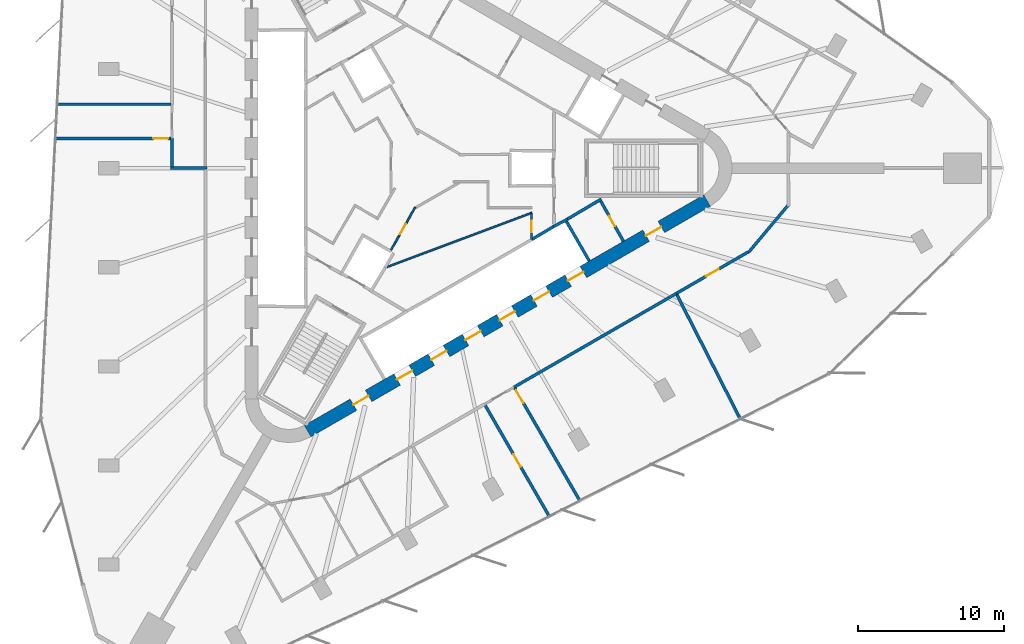
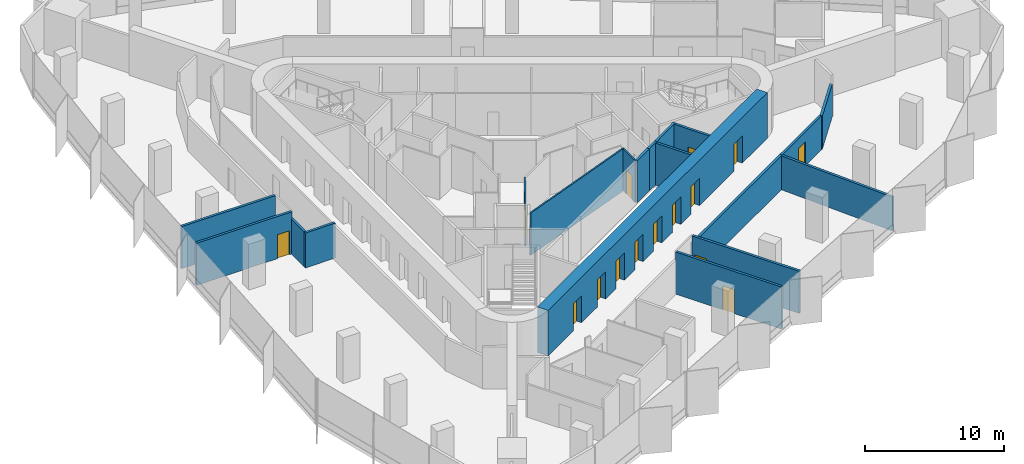
# One storey, part 9 of 14: 19 walls, 15 doors, 15 openings.
"""IFC4 building model written with IfcOpenShell, lengths in metres."""

from ifc_helpers import new_model, si_unit, direction, frame, frame_2d, origin, place, context, subcontext, project, spatial, rectangle, extrude, material, layer, layer_set, type_object, element, fill, save


model = new_model("IFC4")

# Units and contexts
model_context = context("Model", 3, precision=1e-05, world=origin(), true_north=direction((0.0, 1.0)))
body_context = subcontext(model_context, "Body", "Model", "MODEL_VIEW")
ifc_project = project(units=[si_unit("LENGTHUNIT", "METRE"), si_unit("AREAUNIT", "SQUARE_METRE"), si_unit("VOLUMEUNIT", "CUBIC_METRE"), si_unit("PLANEANGLEUNIT", "RADIAN"), si_unit("MASSUNIT", "GRAM", prefix="KILO")], contexts=[model_context])

# Site, building, storey
site_placement = place(None, origin())
site = spatial("IfcSite", under=ifc_project, at=site_placement, CompositionType="ELEMENT")
building_placement = place(site_placement, origin())
building = spatial("IfcBuilding", under=site, at=building_placement, Name="Tanit Gate Tower", CompositionType="ELEMENT")
storey_placement = place(building_placement, frame((0.0, 0.0, 257.199951171875)))
storey = spatial("IfcBuildingStorey", under=building, at=storey_placement, Name="L58", CompositionType="ELEMENT", Elevation=257.199951171875)

# Wall, openings, doors
ifc_material_1 = material(Name="Concrete C50/60", Category="concrete")
ifc_layer_1 = layer(ifc_material_1, 0.89990234375)
ifc_layer_set_1 = layer_set([ifc_layer_1], Name="CORE WALL 900 C50/60")
wall_type_1 = type_object("IfcWallType", Name="CORE WALL 900 C50/60", PredefinedType="SHEAR", material=ifc_layer_set_1)
wall_1_placement = place(storey_placement, frame((-7.824951171875, -17.969970703125, 0.0), z_axis=(0.0, 0.0, 1.0), x_axis=(0.866028369851, 0.499994862586, 0.0)))
wall_1 = element("IfcWall", 1, at=wall_1_placement, inside=storey, type_object=wall_type_1, Name="CORE WALL", PredefinedType="SHEAR", context=body_context, shape_type="SweptSolid", body=[
    extrude(rectangle(XDim=31.523193359375, YDim=0.89990234375, at=frame_2d((15.76171875, 0.0))), origin(), (0.0, 0.0, 1.0), 4.0),
])
opening_1_placement = place(wall_1_placement, frame((7.061767578125, 0.0, 0.0)))
opening_1 = element("IfcOpeningElement", 2, at=opening_1_placement, cuts=wall_1, Name="Opening LDSX1-S16", PredefinedType="OPENING", context=body_context, shape_type="SweptSolid", body=[
    extrude(rectangle(XDim=1.199951171875, YDim=2.39990234375, at=frame_2d((0.60009765625, 1.199951171875))), frame((0.0, 0.4599609375, 0.0), z_axis=(0.0, -1.0, 0.0), x_axis=(1.0, 0.0, 0.0)), (0.0, 0.0, 1.0), 0.919921875),
])
opening_2_placement = place(wall_1_placement, frame((9.76171875, 0.0, 0.0)))
opening_2 = element("IfcOpeningElement", 3, at=opening_2_placement, cuts=wall_1, Name="Opening LDSX2-S16", PredefinedType="OPENING", context=body_context, shape_type="SweptSolid", body=[
    extrude(rectangle(XDim=1.199951171875, YDim=2.39990234375, at=frame_2d((0.60009765625, 1.199951171875))), frame((0.0, 0.4599609375, 0.0), z_axis=(0.0, -1.0, 0.0), x_axis=(1.0, 0.0, 0.0)), (0.0, 0.0, 1.0), 0.919921875),
])
opening_3_placement = place(wall_1_placement, frame((12.461669921875, 0.0, 0.0)))
opening_3 = element("IfcOpeningElement", 4, at=opening_3_placement, cuts=wall_1, Name="Opening LDSX3-S16", PredefinedType="OPENING", context=body_context, shape_type="SweptSolid", body=[
    extrude(rectangle(XDim=1.199951171875, YDim=2.39990234375, at=frame_2d((0.60009765625, 1.199951171875))), frame((0.0, 0.4599609375, 0.0), z_axis=(0.0, -1.0, 0.0), x_axis=(1.0, 0.0, 0.0)), (0.0, 0.0, 1.0), 0.919921875),
])
opening_4_placement = place(wall_1_placement, frame((15.16162109375, 0.0, 0.0)))
opening_4 = element("IfcOpeningElement", 5, at=opening_4_placement, cuts=wall_1, Name="Opening LDSX4-S16", PredefinedType="OPENING", context=body_context, shape_type="SweptSolid", body=[
    extrude(rectangle(XDim=1.199951171875, YDim=2.39990234375, at=frame_2d((0.60009765625, 1.199951171875))), frame((0.0, 0.4599609375, 0.0), z_axis=(0.0, -1.0, 0.0), x_axis=(1.0, 0.0, 0.0)), (0.0, 0.0, 1.0), 0.919921875),
])
opening_5_placement = place(wall_1_placement, frame((17.861572265625, 0.0, 0.0)))
opening_5 = element("IfcOpeningElement", 6, at=opening_5_placement, cuts=wall_1, Name="Opening LDSV1-S16", PredefinedType="OPENING", context=body_context, shape_type="SweptSolid", body=[
    extrude(rectangle(XDim=1.199951171875, YDim=2.39990234375, at=frame_2d((0.60009765625, 1.199951171875))), frame((0.0, 0.4599609375, 0.0), z_axis=(0.0, -1.0, 0.0), x_axis=(1.0, 0.0, 0.0)), (0.0, 0.0, 1.0), 0.919921875),
])
opening_6_placement = place(wall_1_placement, frame((20.561767578125, 0.0, 0.0)))
opening_6 = element("IfcOpeningElement", 7, at=opening_6_placement, cuts=wall_1, Name="Opening LDSV2-S16", PredefinedType="OPENING", context=body_context, shape_type="SweptSolid", body=[
    extrude(rectangle(XDim=1.199951171875, YDim=2.39990234375, at=frame_2d((0.60009765625, 1.199951171875))), frame((0.0, 0.4599609375, 0.0), z_axis=(0.0, -1.0, 0.0), x_axis=(1.0, 0.0, 0.0)), (0.0, 0.0, 1.0), 0.919921875),
])
opening_7_placement = place(wall_1_placement, frame((26.711669921875, 0.0, 0.0)))
opening_7 = element("IfcOpeningElement", 8, at=opening_7_placement, cuts=wall_1, Name="Opening F12-S16-S1", PredefinedType="OPENING", context=body_context, shape_type="SweptSolid", body=[
    extrude(rectangle(XDim=1.199951171875, YDim=2.39990234375, at=frame_2d((0.60009765625, 1.199951171875))), frame((0.0, 0.4599609375, 0.0), z_axis=(0.0, -1.0, 0.0), x_axis=(1.0, 0.0, 0.0)), (0.0, 0.0, 1.0), 0.919921875),
])
opening_8_placement = place(wall_1_placement, frame((3.611572265625, 0.0, 0.0)))
opening_8 = element("IfcOpeningElement", 9, at=opening_8_placement, cuts=wall_1, Name="Opening F12-S16-FL3", PredefinedType="OPENING", context=body_context, shape_type="SweptSolid", body=[
    extrude(rectangle(XDim=1.199951171875, YDim=2.39990234375, at=frame_2d((0.60009765625, 1.199951171875))), frame((0.0, 0.4599609375, 0.0), z_axis=(0.0, -1.0, 0.0), x_axis=(1.0, 0.0, 0.0)), (0.0, 0.0, 1.0), 0.919921875),
])
ifc_material_2 = material(Name="Fire-rated steel door leaf", Category="steel")
door_type_1 = type_object("IfcDoorType", Name="INT-DOOR-FIRE-LOBBY-1200", OperationType="NOTDEFINED", PredefinedType="USERDEFINED", material=ifc_material_2)
door_1_placement = place(opening_7_placement, origin())
door_1 = element("IfcDoor", 10, at=door_1_placement, inside=storey, type_object=door_type_1, Name="Door F12-S16-S1", ObjectType="FIRE DOOR", OperationType="SINGLE_SWING_LEFT", OverallHeight=2.39990234375, OverallWidth=1.199951171875, PredefinedType="USERDEFINED", context=body_context, shape_type="SweptSolid", body=[
    extrude(rectangle(XDim=1.199951171875, YDim=2.39990234375, at=frame_2d((0.60009765625, 1.199951171875))), frame((0.0, 0.02490234375, 0.0), z_axis=(0.0, -1.0, 0.0), x_axis=(1.0, 0.0, 0.0)), (0.0, 0.0, 1.0), 0.050048828125),
])
fill(opening_7, door_1)
door_2_placement = place(opening_8_placement, origin())
door_2 = element("IfcDoor", 11, at=door_2_placement, inside=storey, type_object=door_type_1, Name="Door F12-S16-FL3", ObjectType="FIRE DOOR", OperationType="SINGLE_SWING_LEFT", OverallHeight=2.39990234375, OverallWidth=1.199951171875, PredefinedType="USERDEFINED", context=body_context, shape_type="SweptSolid", body=[
    extrude(rectangle(XDim=1.199951171875, YDim=2.39990234375, at=frame_2d((0.60009765625, 1.199951171875))), frame((0.0, 0.02490234375, 0.0), z_axis=(0.0, -1.0, 0.0), x_axis=(1.0, 0.0, 0.0)), (0.0, 0.0, 1.0), 0.050048828125),
])
fill(opening_8, door_2)
ifc_material_3 = material(Name="Stainless steel sliding door leaf", Category="steel")
door_type_2 = type_object("IfcDoorType", Name="INT-DOOR-LANDING-1200", OperationType="NOTDEFINED", PredefinedType="USERDEFINED", material=ifc_material_3)
door_3_placement = place(opening_1_placement, origin())
door_3 = element("IfcDoor", 12, at=door_3_placement, inside=storey, type_object=door_type_2, Name="Door LDSX1-S16", ObjectType="LANDING DOOR", OperationType="SLIDING_TO_LEFT", OverallHeight=2.39990234375, OverallWidth=1.199951171875, PredefinedType="USERDEFINED", context=body_context, shape_type="SweptSolid", body=[
    extrude(rectangle(XDim=1.199951171875, YDim=2.39990234375, at=frame_2d((0.60009765625, 1.199951171875))), frame((0.0, 0.02490234375, 0.0), z_axis=(0.0, -1.0, 0.0), x_axis=(1.0, 0.0, 0.0)), (0.0, 0.0, 1.0), 0.050048828125),
])
fill(opening_1, door_3)
door_4_placement = place(opening_2_placement, origin())
door_4 = element("IfcDoor", 13, at=door_4_placement, inside=storey, type_object=door_type_2, Name="Door LDSX2-S16", ObjectType="LANDING DOOR", OperationType="SLIDING_TO_LEFT", OverallHeight=2.39990234375, OverallWidth=1.199951171875, PredefinedType="USERDEFINED", context=body_context, shape_type="SweptSolid", body=[
    extrude(rectangle(XDim=1.199951171875, YDim=2.39990234375, at=frame_2d((0.60009765625, 1.199951171875))), frame((0.0, 0.02490234375, 0.0), z_axis=(0.0, -1.0, 0.0), x_axis=(1.0, 0.0, 0.0)), (0.0, 0.0, 1.0), 0.050048828125),
])
fill(opening_2, door_4)
door_5_placement = place(opening_3_placement, origin())
door_5 = element("IfcDoor", 14, at=door_5_placement, inside=storey, type_object=door_type_2, Name="Door LDSX3-S16", ObjectType="LANDING DOOR", OperationType="SLIDING_TO_LEFT", OverallHeight=2.39990234375, OverallWidth=1.199951171875, PredefinedType="USERDEFINED", context=body_context, shape_type="SweptSolid", body=[
    extrude(rectangle(XDim=1.199951171875, YDim=2.39990234375, at=frame_2d((0.60009765625, 1.199951171875))), frame((0.0, 0.02490234375, 0.0), z_axis=(0.0, -1.0, 0.0), x_axis=(1.0, 0.0, 0.0)), (0.0, 0.0, 1.0), 0.050048828125),
])
fill(opening_3, door_5)
door_6_placement = place(opening_4_placement, origin())
door_6 = element("IfcDoor", 15, at=door_6_placement, inside=storey, type_object=door_type_2, Name="Door LDSX4-S16", ObjectType="LANDING DOOR", OperationType="SLIDING_TO_LEFT", OverallHeight=2.39990234375, OverallWidth=1.199951171875, PredefinedType="USERDEFINED", context=body_context, shape_type="SweptSolid", body=[
    extrude(rectangle(XDim=1.199951171875, YDim=2.39990234375, at=frame_2d((0.60009765625, 1.199951171875))), frame((0.0, 0.02490234375, 0.0), z_axis=(0.0, -1.0, 0.0), x_axis=(1.0, 0.0, 0.0)), (0.0, 0.0, 1.0), 0.050048828125),
])
fill(opening_4, door_6)
door_7_placement = place(opening_5_placement, origin())
door_7 = element("IfcDoor", 16, at=door_7_placement, inside=storey, type_object=door_type_2, Name="Door LDSV1-S16", ObjectType="LANDING DOOR", OperationType="SLIDING_TO_LEFT", OverallHeight=2.39990234375, OverallWidth=1.199951171875, PredefinedType="USERDEFINED", context=body_context, shape_type="SweptSolid", body=[
    extrude(rectangle(XDim=1.199951171875, YDim=2.39990234375, at=frame_2d((0.60009765625, 1.199951171875))), frame((0.0, 0.02490234375, 0.0), z_axis=(0.0, -1.0, 0.0), x_axis=(1.0, 0.0, 0.0)), (0.0, 0.0, 1.0), 0.050048828125),
])
fill(opening_5, door_7)
door_8_placement = place(opening_6_placement, origin())
door_8 = element("IfcDoor", 17, at=door_8_placement, inside=storey, type_object=door_type_2, Name="Door LDSV2-S16", ObjectType="LANDING DOOR", OperationType="SLIDING_TO_LEFT", OverallHeight=2.39990234375, OverallWidth=1.199951171875, PredefinedType="USERDEFINED", context=body_context, shape_type="SweptSolid", body=[
    extrude(rectangle(XDim=1.199951171875, YDim=2.39990234375, at=frame_2d((0.60009765625, 1.199951171875))), frame((0.0, 0.02490234375, 0.0), z_axis=(0.0, -1.0, 0.0), x_axis=(1.0, 0.0, 0.0)), (0.0, 0.0, 1.0), 0.050048828125),
])
fill(opening_6, door_8)

# Wall
ifc_material_4 = material(Name="Fire-rated gypsum board partition")
ifc_layer_2 = layer(ifc_material_4, 0.199951171875)
ifc_layer_set_2 = layer_set([ifc_layer_2], Name="INT-WALL-COMPARTMENT")
wall_type_2 = type_object("IfcWallType", Name="INT-WALL-COMPARTMENT", PredefinedType="PARTITIONING", material=ifc_layer_set_2)
wall_2_placement = place(storey_placement, frame((12.244873046875, -2.10888671875, 0.0), z_axis=(0.0, 0.0, 1.0), x_axis=(-0.860414880418, -0.509594185166, 0.0)))
element("IfcWall", 18, at=wall_2_placement, inside=storey, type_object=wall_type_2, Name="Wall Compartment W060", PredefinedType="PARTITIONING", context=body_context, shape_type="SweptSolid", body=[
    extrude(rectangle(XDim=2.7001953125, YDim=0.199951171875, at=frame_2d((1.35009765625, 0.0))), origin(), (0.0, 0.0, 1.0), 3.699951171875),
])

# Wall, opening, door
wall_3_placement = place(storey_placement, frame((13.758056640625, -4.989501953125, 0.0), z_axis=(0.0, 0.0, 1.0), x_axis=(-0.491993409184, 0.87059892334, 0.0)))
wall_3 = element("IfcWall", 19, at=wall_3_placement, inside=storey, type_object=wall_type_2, Name="Wall Compartment W061", PredefinedType="PARTITIONING", context=body_context, shape_type="SweptSolid", body=[
    extrude(rectangle(XDim=3.150146484375, YDim=0.199951171875, at=frame_2d((1.5751953125, 0.0))), origin(), (0.0, 0.0, 1.0), 3.699951171875),
])
opening_9_placement = place(wall_3_placement, frame((1.175048828125, 0.0, 0.0)))
opening_9 = element("IfcOpeningElement", 20, at=opening_9_placement, cuts=wall_3, Name="Opening R08-S16-17", PredefinedType="OPENING", context=body_context, shape_type="SweptSolid", body=[
    extrude(rectangle(XDim=0.800048828125, YDim=2.10009765625, at=frame_2d((0.39990234375, 1.050048828125))), frame((0.0, 0.10986328125, 0.0), z_axis=(0.0, -1.0, 0.0), x_axis=(1.0, 0.0, 0.0)), (0.0, 0.0, 1.0), 0.219970703125),
])
ifc_material_5 = material(Name="Timber door leaf", Category="wood")
door_type_3 = type_object("IfcDoorType", Name="INT-DOOR-RISER-800", OperationType="NOTDEFINED", PredefinedType="USERDEFINED", material=ifc_material_5)
door_9_placement = place(opening_9_placement, origin())
door_9 = element("IfcDoor", 21, at=door_9_placement, inside=storey, type_object=door_type_3, Name="Door R08-S16-17", ObjectType="FIRE DOOR", OperationType="SINGLE_SWING_RIGHT", OverallHeight=2.10009765625, OverallWidth=0.800048828125, PredefinedType="USERDEFINED", context=body_context, shape_type="SweptSolid", body=[
    extrude(rectangle(XDim=0.800048828125, YDim=2.10009765625, at=frame_2d((0.39990234375, 1.050048828125))), frame((0.0, 0.02490234375, 0.0), z_axis=(0.0, -1.0, 0.0), x_axis=(1.0, 0.0, 0.0)), (0.0, 0.0, 1.0), 0.050048828125),
])
fill(opening_9, door_9)

# Walls
wall_4_placement = place(storey_placement, frame((-17.199951171875, -0.001220703125, 0.0), z_axis=(0.0, 0.0, 1.0), x_axis=(0.999915662945, 0.012987185857, 0.0)))
element("IfcWall", 22, at=wall_4_placement, inside=storey, type_object=wall_type_2, Name="Wall Compartment W091", PredefinedType="PARTITIONING", context=body_context, shape_type="SweptSolid", body=[
    extrude(rectangle(XDim=2.500244140625, YDim=0.199951171875, at=frame_2d((1.25, 0.0))), origin(), (0.0, 0.0, 1.0), 3.070068359375),
])
wall_5_placement = place(storey_placement, frame((-17.10009765625, 2.050048828125, 0.0), z_axis=(0.0, 0.0, 1.0), x_axis=(0.0, -1.0, 0.0)))
element("IfcWall", 23, at=wall_5_placement, inside=storey, type_object=wall_type_2, Name="Wall Compartment W092", PredefinedType="PARTITIONING", context=body_context, shape_type="SweptSolid", body=[
    extrude(rectangle(XDim=1.949951171875, YDim=0.199951171875, at=frame_2d((0.97509765625, 0.0))), origin(), (0.0, 0.0, 1.0), 3.070068359375),
])
wall_6_placement = place(storey_placement, frame((22.315185546875, -5.746337890625, 0.0), z_axis=(0.0, 0.0, 1.0), x_axis=(0.642828004621, 0.76601054593, 0.0)))
element("IfcWall", 24, at=wall_6_placement, inside=storey, type_object=wall_type_2, Name="Wall Compartment W111", PredefinedType="PARTITIONING", context=body_context, shape_type="SweptSolid", body=[
    extrude(rectangle(XDim=4.19970703125, YDim=0.199951171875, at=frame_2d((2.099853515625, 0.0))), origin(), (0.0, 0.0, 1.0), 2.880126953125),
])
wall_7_placement = place(storey_placement, frame((6.274658203125, -14.968017578125, 0.0), z_axis=(0.0, 0.0, 1.0), x_axis=(0.866025615516, 0.499999633269, 0.0)))
element("IfcWall", 25, at=wall_7_placement, inside=storey, type_object=wall_type_2, Name="Wall Compartment W113", PredefinedType="PARTITIONING", context=body_context, shape_type="SweptSolid", body=[
    extrude(rectangle(XDim=12.83447265625, YDim=0.199951171875, at=frame_2d((6.417236328125, 0.0))), origin(), (0.0, 0.0, 1.0), 2.97998046875),
])

# Wall, opening, door
wall_8_placement = place(storey_placement, frame((17.3896484375, -8.55078125, 0.0), z_axis=(0.0, 0.0, 1.0), x_axis=(0.866034791923, 0.499983738914, 0.0)))
wall_8 = element("IfcWall", 26, at=wall_8_placement, inside=storey, type_object=wall_type_2, Name="Wall Compartment W112", PredefinedType="PARTITIONING", context=body_context, shape_type="SweptSolid", body=[
    extrude(rectangle(XDim=5.661865234375, YDim=0.199951171875, at=frame_2d((2.8310546875, 0.0))), origin(), (0.0, 0.0, 1.0), 2.97998046875),
])
opening_10_placement = place(wall_8_placement, frame((2.330810546875, 0.0, 0.0)))
opening_10 = element("IfcOpeningElement", 27, at=opening_10_placement, cuts=wall_8, Name="Opening F10-S16-34", PredefinedType="OPENING", context=body_context, shape_type="SweptSolid", body=[
    extrude(rectangle(XDim=1.0, YDim=2.10009765625, at=frame_2d((0.5, 1.050048828125))), frame((0.0, 0.10986328125, 0.0), z_axis=(0.0, -1.0, 0.0), x_axis=(1.0, 0.0, 0.0)), (0.0, 0.0, 1.0), 0.219970703125),
])
ifc_material_6 = material(Name="Fire-rated steel door leaf", Category="steel")
door_type_4 = type_object("IfcDoorType", Name="INT-DOOR-FIRE-1000", OperationType="NOTDEFINED", PredefinedType="USERDEFINED", material=ifc_material_6)
door_10_placement = place(opening_10_placement, origin())
door_10 = element("IfcDoor", 28, at=door_10_placement, inside=storey, type_object=door_type_4, Name="Door F10-S16-34", ObjectType="FIRE DOOR", OperationType="SINGLE_SWING_LEFT", OverallHeight=2.10009765625, OverallWidth=1.0, PredefinedType="USERDEFINED", context=body_context, shape_type="SweptSolid", body=[
    extrude(rectangle(XDim=1.0, YDim=2.10009765625, at=frame_2d((0.5, 1.050048828125))), frame((0.0, 0.02490234375, 0.0), z_axis=(0.0, -1.0, 0.0), x_axis=(1.0, 0.0, 0.0)), (0.0, 0.0, 1.0), 0.050048828125),
])
fill(opening_10, door_10)

wall_9_placement = place(storey_placement, frame((-25.060791015625, 2.030029296875, 0.0), z_axis=(0.0, 0.0, 1.0), x_axis=(1.0, 0.0, 0.0)))
wall_9 = element("IfcWall", 29, at=wall_9_placement, inside=storey, type_object=wall_type_2, Name="Wall Compartment W120", PredefinedType="PARTITIONING", context=body_context, shape_type="SweptSolid", body=[
    extrude(rectangle(XDim=7.90087890625, YDim=0.199951171875, at=frame_2d((3.950439453125, 0.0))), origin(), (0.0, 0.0, 1.0), 3.699951171875),
])
opening_11_placement = place(wall_9_placement, frame((6.700927734375, 0.0, 0.0)))
opening_11 = element("IfcOpeningElement", 30, at=opening_11_placement, cuts=wall_9, Name="Opening F10-S16-30", PredefinedType="OPENING", context=body_context, shape_type="SweptSolid", body=[
    extrude(rectangle(XDim=1.0, YDim=2.10009765625, at=frame_2d((0.5, 1.050048828125))), frame((0.0, 0.10986328125, 0.0), z_axis=(0.0, -1.0, 0.0), x_axis=(1.0, 0.0, 0.0)), (0.0, 0.0, 1.0), 0.219970703125),
])
door_11_placement = place(opening_11_placement, origin())
door_11 = element("IfcDoor", 31, at=door_11_placement, inside=storey, type_object=door_type_4, Name="Door F10-S16-30", ObjectType="FIRE DOOR", OperationType="SINGLE_SWING_LEFT", OverallHeight=2.10009765625, OverallWidth=1.0, PredefinedType="USERDEFINED", context=body_context, shape_type="SweptSolid", body=[
    extrude(rectangle(XDim=1.0, YDim=2.10009765625, at=frame_2d((0.5, 1.050048828125))), frame((0.0, 0.02490234375, 0.0), z_axis=(0.0, -1.0, 0.0), x_axis=(1.0, 0.0, 0.0)), (0.0, 0.0, 1.0), 0.050048828125),
])
fill(opening_11, door_11)

# Wall
wall_10_placement = place(storey_placement, frame((-17.159912109375, 4.3701171875, 0.0), z_axis=(0.0, 0.0, 1.0), x_axis=(-1.0, 0.0, 0.0)))
element("IfcWall", 32, at=wall_10_placement, inside=storey, type_object=wall_type_2, Name="Wall Compartment W121", PredefinedType="PARTITIONING", context=body_context, shape_type="SweptSolid", body=[
    extrude(rectangle(XDim=7.779296875, YDim=0.199951171875, at=frame_2d((3.8896484375, 0.0))), origin(), (0.0, 0.0, 1.0), 3.699951171875),
])

# Wall, opening, door
wall_11_placement = place(storey_placement, frame((10.7724609375, -22.71826171875, 0.0), z_axis=(0.0, 0.0, 1.0), x_axis=(-0.500006581979, 0.866021603644, 0.0)))
wall_11 = element("IfcWall", 33, at=wall_11_placement, inside=storey, type_object=wall_type_2, Name="Wall Compartment W136", PredefinedType="PARTITIONING", context=body_context, shape_type="SweptSolid", body=[
    extrude(rectangle(XDim=8.90087890625, YDim=0.199951171875, at=frame_2d((4.450439453125, 0.0))), origin(), (0.0, 0.0, 1.0), 3.699951171875),
])
opening_12_placement = place(wall_11_placement, frame((7.700927734375, 0.0, 0.0)))
opening_12 = element("IfcOpeningElement", 34, at=opening_12_placement, cuts=wall_11, Name="Opening F10-S16-35", PredefinedType="OPENING", context=body_context, shape_type="SweptSolid", body=[
    extrude(rectangle(XDim=1.0, YDim=2.10009765625, at=frame_2d((0.5, 1.050048828125))), frame((0.0, 0.10986328125, 0.0), z_axis=(0.0, -1.0, 0.0), x_axis=(1.0, 0.0, 0.0)), (0.0, 0.0, 1.0), 0.219970703125),
])
door_12_placement = place(opening_12_placement, origin())
door_12 = element("IfcDoor", 35, at=door_12_placement, inside=storey, type_object=door_type_4, Name="Door F10-S16-35", ObjectType="FIRE DOOR", OperationType="SINGLE_SWING_RIGHT", OverallHeight=2.10009765625, OverallWidth=1.0, PredefinedType="USERDEFINED", context=body_context, shape_type="SweptSolid", body=[
    extrude(rectangle(XDim=1.0, YDim=2.10009765625, at=frame_2d((0.5, 1.050048828125))), frame((0.0, 0.02490234375, 0.0), z_axis=(0.0, -1.0, 0.0), x_axis=(1.0, 0.0, 0.0)), (0.0, 0.0, 1.0), 0.050048828125),
])
fill(opening_12, door_12)

wall_12_placement = place(storey_placement, frame((4.29541015625, -16.179931640625, 0.0), z_axis=(0.0, 0.0, 1.0), x_axis=(0.499991252212, -0.866030454263, 0.0)))
wall_12 = element("IfcWall", 36, at=wall_12_placement, inside=storey, type_object=wall_type_2, Name="Wall Compartment W137", PredefinedType="PARTITIONING", context=body_context, shape_type="SweptSolid", body=[
    extrude(rectangle(XDim=8.779541015625, YDim=0.199951171875, at=frame_2d((4.3896484375, 0.0))), origin(), (0.0, 0.0, 1.0), 3.699951171875),
])
opening_13_placement = place(wall_12_placement, frame((3.8896484375, 0.0, 0.0)))
opening_13 = element("IfcOpeningElement", 37, at=opening_13_placement, cuts=wall_12, Name="Opening F10-S16-36", PredefinedType="OPENING", context=body_context, shape_type="SweptSolid", body=[
    extrude(rectangle(XDim=1.0, YDim=2.10009765625, at=frame_2d((0.5, 1.050048828125))), frame((0.0, 0.10986328125, 0.0), z_axis=(0.0, -1.0, 0.0), x_axis=(1.0, 0.0, 0.0)), (0.0, 0.0, 1.0), 0.219970703125),
])
door_13_placement = place(opening_13_placement, origin())
door_13 = element("IfcDoor", 38, at=door_13_placement, inside=storey, type_object=door_type_4, Name="Door F10-S16-36", ObjectType="FIRE DOOR", OperationType="SINGLE_SWING_LEFT", OverallHeight=2.10009765625, OverallWidth=1.0, PredefinedType="USERDEFINED", context=body_context, shape_type="SweptSolid", body=[
    extrude(rectangle(XDim=1.0, YDim=2.10009765625, at=frame_2d((0.5, 1.050048828125))), frame((0.0, 0.02490234375, 0.0), z_axis=(0.0, -1.0, 0.0), x_axis=(1.0, 0.0, 0.0)), (0.0, 0.0, 1.0), 0.050048828125),
])
fill(opening_13, door_13)

# Walls
wall_13_placement = place(storey_placement, frame((17.41552734375, -8.6513671875, 0.0), z_axis=(0.0, 0.0, 1.0), x_axis=(0.45442670118, -0.890784133926, 0.0)))
element("IfcWall", 39, at=wall_13_placement, inside=storey, type_object=wall_type_2, Name="Wall Compartment W138", PredefinedType="PARTITIONING", context=body_context, shape_type="SweptSolid", body=[
    extrude(rectangle(XDim=9.511962890625, YDim=0.199951171875, at=frame_2d((4.755859375, 0.0))), origin(), (0.0, 0.0, 1.0), 2.97998046875),
])
ifc_material_7 = material(Name="Gypsum board partition")
ifc_layer_3 = layer(ifc_material_7, 0.1201171875)
ifc_layer_set_3 = layer_set([ifc_layer_3], Name="INT-WALL-PARTITION")
wall_type_3 = type_object("IfcWallType", Name="INT-WALL-PARTITION", PredefinedType="PARTITIONING", material=ifc_layer_set_3)
wall_14_placement = place(storey_placement, frame((7.5, -3.04248046875, 0.0), z_axis=(0.0, 0.0, 1.0), x_axis=(-0.936345316301, -0.35108040196, 0.0)))
element("IfcWall", 40, at=wall_14_placement, inside=storey, type_object=wall_type_3, Name="Wall Partition W071", PredefinedType="PARTITIONING", context=body_context, shape_type="SweptSolid", body=[
    extrude(rectangle(XDim=10.56787109375, YDim=0.1201171875, at=frame_2d((5.283935546875, 0.0))), origin(), (0.0, 0.0, 1.0), 3.699951171875),
])

# Wall, opening, door
wall_15_placement = place(storey_placement, frame((-0.4658203125, -2.655029296875, 0.0), z_axis=(0.0, 0.0, 1.0), x_axis=(-0.49235580986, -0.870394023703, 0.0)))
wall_15 = element("IfcWall", 41, at=wall_15_placement, inside=storey, type_object=wall_type_3, Name="Wall Partition W072", PredefinedType="PARTITIONING", context=body_context, shape_type="SweptSolid", body=[
    extrude(rectangle(XDim=3.367919921875, YDim=0.1201171875, at=frame_2d((1.68408203125, 0.0))), origin(), (0.0, 0.0, 1.0), 3.699951171875),
])
opening_14_placement = place(wall_15_placement, frame((1.334716796875, 0.0, 0.0)))
opening_14 = element("IfcOpeningElement", 42, at=opening_14_placement, cuts=wall_15, Name="Opening R08-S16-11", PredefinedType="OPENING", context=body_context, shape_type="SweptSolid", body=[
    extrude(rectangle(XDim=0.800048828125, YDim=2.10009765625, at=frame_2d((0.39990234375, 1.050048828125))), frame((0.0, 0.070068359375, 0.0), z_axis=(0.0, -1.0, 0.0), x_axis=(1.0, 0.0, 0.0)), (0.0, 0.0, 1.0), 0.14013671875),
])
door_14_placement = place(opening_14_placement, origin())
door_14 = element("IfcDoor", 43, at=door_14_placement, inside=storey, type_object=door_type_3, Name="Door R08-S16-11", ObjectType="FIRE DOOR", OperationType="SINGLE_SWING_RIGHT", OverallHeight=2.10009765625, OverallWidth=0.800048828125, PredefinedType="USERDEFINED", context=body_context, shape_type="SweptSolid", body=[
    extrude(rectangle(XDim=0.800048828125, YDim=2.10009765625, at=frame_2d((0.39990234375, 1.050048828125))), frame((0.0, 0.02490234375, 0.0), z_axis=(0.0, -1.0, 0.0), x_axis=(1.0, 0.0, 0.0)), (0.0, 0.0, 1.0), 0.050048828125),
])
fill(opening_14, door_14)

wall_16_placement = place(storey_placement, frame((7.474609375, -4.864501953125, 0.0), z_axis=(0.0, 0.0, 1.0), x_axis=(-0.002330037535, 0.999997285459, 0.0)))
wall_16 = element("IfcWall", 44, at=wall_16_placement, inside=storey, type_object=wall_type_3, Name="Wall Partition W077", PredefinedType="PARTITIONING", context=body_context, shape_type="SweptSolid", body=[
    extrude(rectangle(XDim=1.78125, YDim=0.1201171875, at=frame_2d((0.890625, 0.0))), origin(), (0.0, 0.0, 1.0), 3.699951171875),
])
opening_15_placement = place(wall_16_placement, frame((0.490478515625, 0.0, 0.0)))
opening_15 = element("IfcOpeningElement", 45, at=opening_15_placement, cuts=wall_16, Name="Opening R08-S16-12", PredefinedType="OPENING", context=body_context, shape_type="SweptSolid", body=[
    extrude(rectangle(XDim=0.800048828125, YDim=2.10009765625, at=frame_2d((0.39990234375, 1.050048828125))), frame((0.0, 0.070068359375, 0.0), z_axis=(0.0, -1.0, 0.0), x_axis=(1.0, 0.0, 0.0)), (0.0, 0.0, 1.0), 0.14013671875),
])
door_15_placement = place(opening_15_placement, origin())
door_15 = element("IfcDoor", 46, at=door_15_placement, inside=storey, type_object=door_type_3, Name="Door R08-S16-12", ObjectType="FIRE DOOR", OperationType="SINGLE_SWING_RIGHT", OverallHeight=2.10009765625, OverallWidth=0.800048828125, PredefinedType="USERDEFINED", context=body_context, shape_type="SweptSolid", body=[
    extrude(rectangle(XDim=0.800048828125, YDim=2.10009765625, at=frame_2d((0.39990234375, 1.050048828125))), frame((0.0, 0.02490234375, 0.0), z_axis=(0.0, -1.0, 0.0), x_axis=(1.0, 0.0, 0.0)), (0.0, 0.0, 1.0), 0.050048828125),
])
fill(opening_15, door_15)

# Walls
ifc_material_8 = material(Name="Gypsum shaft wall system")
ifc_layer_4 = layer(ifc_material_8, 0.199951171875)
ifc_layer_set_4 = layer_set([ifc_layer_4], Name="INT-WALL-SHAFT")
wall_type_4 = type_object("IfcWallType", Name="INT-WALL-SHAFT", PredefinedType="PLUMBINGWALL", material=ifc_layer_set_4)
wall_17_placement = place(storey_placement, frame((9.794677734375, -3.52490234375, 0.0), z_axis=(0.0, 0.0, 1.0), x_axis=(0.499984717929, -0.866034226713, 0.0)))
element("IfcWall", 47, at=wall_17_placement, inside=storey, type_object=wall_type_4, Name="Wall Shaft W016", PredefinedType="PLUMBINGWALL", context=body_context, shape_type="SweptSolid", body=[
    extrude(rectangle(XDim=3.25, YDim=0.199951171875, at=frame_2d((1.625, 0.0))), origin(), (0.0, 0.0, 1.0), 3.699951171875),
])
wall_18_placement = place(storey_placement, frame((8.97412109375, -3.998779296875, 0.0), z_axis=(0.0, 0.0, 1.0), x_axis=(0.880907015104, 0.473289373154, 0.0)))
element("IfcWall", 48, at=wall_18_placement, inside=storey, type_object=wall_type_4, Name="Wall Shaft W017", PredefinedType="PLUMBINGWALL", context=body_context, shape_type="SweptSolid", body=[
    extrude(rectangle(XDim=1.078125, YDim=0.199951171875, at=frame_2d((0.5390625, 0.0))), origin(), (0.0, 0.0, 1.0), 3.699951171875),
])
wall_19_placement = place(storey_placement, frame((7.4931640625, -4.87841796875, 0.0), z_axis=(0.0, 0.0, 1.0), x_axis=(0.859981807212, 0.510324691999, 0.0)))
element("IfcWall", 49, at=wall_19_placement, inside=storey, type_object=wall_type_4, Name="Wall Shaft W018", PredefinedType="PLUMBINGWALL", context=body_context, shape_type="SweptSolid", body=[
    extrude(rectangle(XDim=1.8447265625, YDim=0.199951171875, at=frame_2d((0.92236328125, 0.0))), origin(), (0.0, 0.0, 1.0), 3.699951171875),
])

save(model, "model.ifc")
